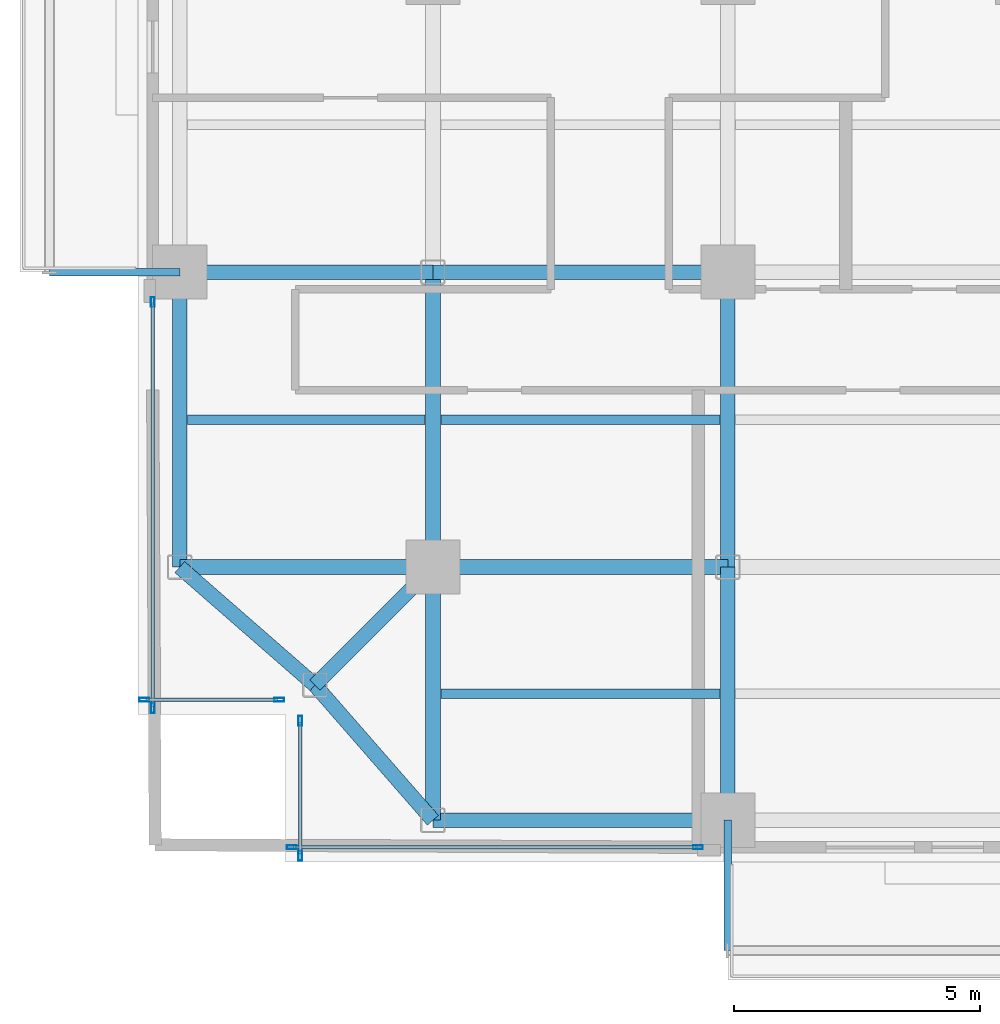
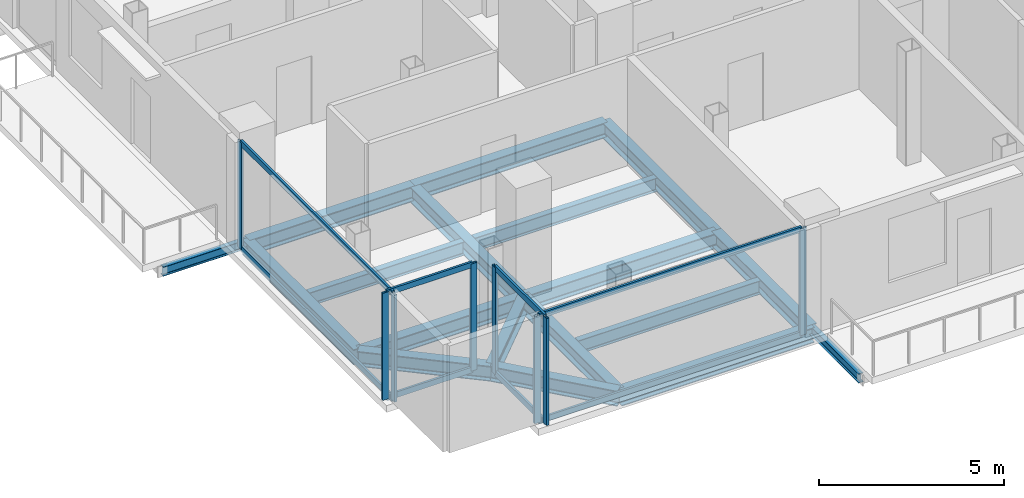
# One storey, part 2 of 24: 18 beams, 16 members, 4 elements without a shape of their own.
"""IFC4 building model written with IfcOpenShell, lengths in metres."""

import ifcopenshell
import ifcopenshell.guid

model = None  # the IFC model being written
_history = None  # IfcOwnerHistory: only IFC2X3 demands one
_inside = {}  # id of a spatial element -> (the spatial element, [elements in it])
_under = {}  # id of a project, library or spatial element -> (it, [spatial elements below it])
_declared = {}  # id of a project -> (the project, [libraries it declares])
_typed = {}  # id of a type object -> (the type object, [elements of that type])
_made_of = {}  # id of a material, layer set ... -> (it, [elements and type objects made of it])


def new_model(schema):
    """Start an empty IFC model of exactly this schema.

    Asked for "IFC4X3", IfcOpenShell would pick the latest addendum, in which some entities
    have other attributes; the version numbers below select the first issue.
    IFC2X3 requires an IfcOwnerHistory on every rooted entity: one is made here for all.
    """
    global model, _history
    if schema == "IFC4X3":
        model = ifcopenshell.file(schema_version=(4, 3, 0, 0))
    else:
        model = ifcopenshell.file(schema=schema)
    _inside.clear()
    _under.clear()
    _declared.clear()
    _typed.clear()
    _made_of.clear()
    _history = None
    if model.schema == "IFC2X3":
        org = make("IfcOrganization", Name="unknown")
        user = make(
            "IfcPersonAndOrganization",
            ThePerson=make("IfcPerson", FamilyName="unknown"),
            TheOrganization=org,
        )
        app = make(
            "IfcApplication",
            ApplicationDeveloper=org,
            Version="unknown",
            ApplicationFullName="unknown",
            ApplicationIdentifier="unknown",
        )
        _history = make(
            "IfcOwnerHistory",
            OwningUser=user,
            OwningApplication=app,
            ChangeAction="ADDED",
            CreationDate=0,
        )
    return model


def make(cls, **values):
    """One entity of the class cls with the attributes given. An attribute that is None is left unset."""
    return model.create_entity(
        cls, **{name: value for name, value in values.items() if value is not None}
    )


def rooted(cls, **values):
    """An entity with a GlobalId (a new one), such as an element, a storey or a relation."""
    return make(cls, GlobalId=ifcopenshell.guid.new(), OwnerHistory=_history, **values)


def si_unit(unit_type, name, prefix=None):
    """IfcSIUnit, for example si_unit("LENGTHUNIT", "METRE", prefix="MILLI")."""
    return make("IfcSIUnit", UnitType=unit_type, Prefix=prefix, Name=name)


def assignment(units):
    """IfcUnitAssignment: the units of a project."""
    return None if units is None else make("IfcUnitAssignment", Units=units)


def point(xyz):
    """IfcCartesianPoint."""
    return None if xyz is None else make("IfcCartesianPoint", Coordinates=xyz)


def direction(xyz):
    """IfcDirection."""
    return None if xyz is None else make("IfcDirection", DirectionRatios=xyz)


def frame(location, z_axis=None, x_axis=None):
    """IfcAxis2Placement3D, a coordinate frame: its origin and axes. An axis left out is left unset."""
    return make(
        "IfcAxis2Placement3D",
        Location=point(location),
        Axis=direction(z_axis),
        RefDirection=direction(x_axis),
    )


def frame_2d(location, x_axis=None):
    """IfcAxis2Placement2D, a coordinate frame in the plane: its origin and x axis."""
    return make(
        "IfcAxis2Placement2D", Location=point(location), RefDirection=direction(x_axis)
    )


def origin():
    """The frame at (0, 0, 0) with its axes left unset."""
    return frame((0.0, 0.0, 0.0))


def origin_2d():
    """The frame at (0, 0) in the plane with its x axis left unset."""
    return frame_2d((0.0, 0.0))


def place(relative_to, where):
    """IfcLocalPlacement: puts the frame where relative to a parent placement (None: the world)."""
    return make(
        "IfcLocalPlacement", PlacementRelTo=relative_to, RelativePlacement=where
    )


def context(
    kind, dimensions, precision=None, world=None, true_north=None, identifier=None
):
    """IfcGeometricRepresentationContext, for example the 3D "Model" context."""
    return make(
        "IfcGeometricRepresentationContext",
        ContextIdentifier=identifier,
        ContextType=kind,
        CoordinateSpaceDimension=dimensions,
        Precision=precision,
        WorldCoordinateSystem=world,
        TrueNorth=true_north,
    )


def subcontext(parent, identifier, kind, view, scale=None):
    """IfcGeometricRepresentationSubContext, for example "Body" below "Model"."""
    return make(
        "IfcGeometricRepresentationSubContext",
        ContextIdentifier=identifier,
        ContextType=kind,
        ParentContext=parent,
        TargetScale=scale,
        TargetView=view,
    )


def project(units=None, contexts=None):
    """IfcProject with its units and contexts."""
    return rooted(
        "IfcProject",
        Name="project",
        RepresentationContexts=contexts,
        UnitsInContext=assignment(units),
    )


def spatial(cls, under=None, at=None, **own):
    """A site, building, storey or space (cls), placed at a placement, below another one or the project."""
    s = rooted(cls, ObjectPlacement=at, **own)
    if under is not None:
        _under.setdefault(under.id(), (under, []))[1].append(s)
    return s


def profile(cls, at=None, kind="AREA", **sizes):
    """A parametric profile (cls). Its sizes go by their IFC names, for example OverallWidth=200.0."""
    return make(cls, ProfileType=kind, Position=at, **sizes)


def hollow_rectangle(**sizes):
    """IfcRectangleHollowProfileDef."""
    return profile("IfcRectangleHollowProfileDef", **sizes)


def i_section(**sizes):
    """IfcIShapeProfileDef."""
    return profile("IfcIShapeProfileDef", **sizes)


def extrude(swept, where, along, depth):
    """IfcExtrudedAreaSolid: the profile swept, set in the frame where, extruded along a direction by depth."""
    return make(
        "IfcExtrudedAreaSolid",
        SweptArea=swept,
        Position=where,
        ExtrudedDirection=direction(along),
        Depth=depth,
    )


def shape(context_of_items, identifier, shape_type, items):
    """IfcShapeRepresentation: the items that make up one representation, for example the "Body"."""
    return make(
        "IfcShapeRepresentation",
        ContextOfItems=context_of_items,
        RepresentationIdentifier=identifier,
        RepresentationType=shape_type,
        Items=items,
    )


def material(Name=None, Category=None):
    """IfcMaterial."""
    return make("IfcMaterial", Name=Name, Category=Category)


def layer(
    of_material, thickness, ventilated=None, Name=None, Category=None, Priority=None
):
    """IfcMaterialLayer: one layer of a wall or slab, of a material (None: an air gap)."""
    return make(
        "IfcMaterialLayer",
        Material=of_material,
        LayerThickness=thickness,
        IsVentilated=ventilated,
        Name=Name,
        Category=Category,
        Priority=Priority,
    )


def layer_set(layers, Name=None):
    """IfcMaterialLayerSet."""
    return make("IfcMaterialLayerSet", MaterialLayers=layers, LayerSetName=Name)


def material_profile(
    of_material, cross_section, Name=None, Category=None, Priority=None
):
    """IfcMaterialProfile: a cross section and its material."""
    return make(
        "IfcMaterialProfile",
        Name=Name,
        Material=of_material,
        Profile=cross_section,
        Priority=Priority,
        Category=Category,
    )


def profile_set(profiles, Name=None, composite=None):
    """IfcMaterialProfileSet."""
    return make(
        "IfcMaterialProfileSet",
        Name=Name,
        MaterialProfiles=profiles,
        CompositeProfile=composite,
    )


def made_of(thing, what):
    """Note that an element or type object is made of a material, layer set ...; save() writes the relation."""
    if what is not None:
        _made_of.setdefault(what.id(), (what, []))[1].append(thing)
    return thing


def type_object(cls, material=None, **own):
    """A type object (cls), such as IfcWallType, which elements share."""
    return made_of(rooted(cls, **own), material)


def element(
    cls,
    number,
    at=None,
    inside=None,
    cuts=None,
    type_object=None,
    material=None,
    context=None,
    identifier="Body",
    shape_type=None,
    held_by="IfcProductDefinitionShape",
    body=None,
    shapes=None,
    **own,
):
    """One element of the class cls, such as IfcWall. Its Tag is "e" and its number.

    at: its placement. inside: the storey or other place that contains it. cuts: it is an
    opening in that element (IfcRelVoidsElement). A single representation is given by context,
    identifier, shape_type and body (its items); several are given by shapes. held_by: the class
    of the entity that holds the representations. save() writes the other relations.
    """
    e = rooted(cls, Tag="e%d" % number, ObjectPlacement=at, **own)
    if body is not None:
        shapes = [shape(context, identifier, shape_type, body)]
    if shapes is not None:
        e.Representation = make(held_by, Representations=shapes)
    if inside is not None:
        _inside.setdefault(inside.id(), (inside, []))[1].append(e)
    if cuts is not None:
        rooted(
            "IfcRelVoidsElement", RelatingBuildingElement=cuts, RelatedOpeningElement=e
        )
    if type_object is not None:
        _typed.setdefault(type_object.id(), (type_object, []))[1].append(e)
    return made_of(e, material)


def aggregate(whole, parts):
    """IfcRelAggregates: a whole, such as a stair, and the parts it consists of."""
    return rooted("IfcRelAggregates", RelatingObject=whole, RelatedObjects=parts)


def save(model, path):
    """Write the relations noted so far, then the file.

    IfcRelAggregates (storeys below a building ...), IfcRelContainedInSpatialStructure (elements
    in a storey), IfcRelDefinesByType, IfcRelAssociatesMaterial and IfcRelDeclares: one each for
    every whole, place, type object, material and project.
    """
    for whole, parts in _under.values():
        aggregate(whole, parts)
    for where, things in _inside.values():
        rooted(
            "IfcRelContainedInSpatialStructure",
            RelatedElements=things,
            RelatingStructure=where,
        )
    for kind, things in _typed.values():
        rooted("IfcRelDefinesByType", RelatedObjects=things, RelatingType=kind)
    for what, things in _made_of.values():
        rooted("IfcRelAssociatesMaterial", RelatedObjects=things, RelatingMaterial=what)
    for by, libraries in _declared.values():
        rooted("IfcRelDeclares", RelatingContext=by, RelatedDefinitions=libraries)
    model.write(path)


model = new_model("IFC4")

# Units and contexts
model_context = context("Model", 3, precision=1e-05, world=origin(), true_north=direction((0.0, 1.0)))
body_context = subcontext(model_context, "Body", "Model", "MODEL_VIEW")
ifc_project = project(units=[si_unit("LENGTHUNIT", "METRE"), si_unit("AREAUNIT", "SQUARE_METRE"), si_unit("VOLUMEUNIT", "CUBIC_METRE"), si_unit("PLANEANGLEUNIT", "RADIAN"), si_unit("MASSUNIT", "GRAM", prefix="KILO"), si_unit("THERMODYNAMICTEMPERATUREUNIT", "KELVIN"), si_unit("POWERUNIT", "WATT")], contexts=[model_context])

# Site, building, storey
site_placement = place(None, origin())
site = spatial("IfcSite", under=ifc_project, at=site_placement, CompositionType="ELEMENT")
building_placement = place(site_placement, origin())
building = spatial("IfcBuilding", under=site, at=building_placement, Name="Svarakhadi Broadcast Tower", CompositionType="ELEMENT")
storey_placement = place(building_placement, frame((0.0, 0.0, 130.64990234375)))
storey = spatial("IfcBuildingStorey", under=building, at=storey_placement, Name="L31", CompositionType="ELEMENT", Elevation=130.64990234375)

# Beams
ifc_material_1 = material(Name="Steel S355J2 (IS 2062 E350C)", Category="steel")
ifc_material_profile_1 = material_profile(ifc_material_1, i_section(OverallWidth=0.18994140625, OverallDepth=0.449951171875, WebThickness=0.009521484375, FlangeThickness=0.0146484375, FilletRadius=0.02099609375, at=origin_2d()), Name="NPB 450x190x78")
ifc_profile_set_1 = profile_set([ifc_material_profile_1], Name="Steel S355J2 (IS 2062 E350C)")
beam_type_1 = type_object("IfcBeamType", Name="Beam_NPB450", PredefinedType="BEAM", material=ifc_profile_set_1)
beam_1_placement = place(storey_placement, frame((1.010009765625, 9.0, -0.449951171875), z_axis=(1.0, 0.0, 0.0), x_axis=(0.0, 1.0, 0.0)))
element("IfcBeam", 1, at=beam_1_placement, inside=storey, type_object=beam_type_1, Name="L31 Secondary Composite Beam SB001", PredefinedType="BEAM", context=body_context, shape_type="SweptSolid", body=[
    extrude(i_section(OverallWidth=0.18994140625, OverallDepth=0.449951171875, WebThickness=0.009521484375, FlangeThickness=0.0146484375, FilletRadius=0.02099609375, at=origin_2d()), origin(), (0.0, 0.0, 1.0), 4.830078125),
])
for number, where, z_axis, x_axis, name in (
    (2, (6.159912109375, 3.425048828125, -0.449951171875), (1.0, 0.0, 0.0), (0.0, 1.0, 0.0), "L31 Secondary Composite Beam SB006"),
    (3, (6.159912109375, 9.0, -0.449951171875), (1.0, 0.0, 0.0), (0.0, 1.0, 0.0), "L31 Secondary Composite Beam SB007"),
):
    element("IfcBeam", number, at=place(storey_placement, frame(where, z_axis=z_axis, x_axis=x_axis)), inside=storey, type_object=beam_type_1, Name=name, PredefinedType="BEAM", context=body_context, shape_type="SweptSolid", body=[
        extrude(i_section(OverallWidth=0.18994140625, OverallDepth=0.449951171875, WebThickness=0.009521484375, FlangeThickness=0.0146484375, FilletRadius=0.02099609375, at=origin_2d()), origin(), (0.0, 0.0, 1.0), 5.68017578125),
    ])

# Curtain wall, members
ifc_material_2 = material(Name="Anodised Bronze Aluminium AA 6063-T6", Category="aluminium")
ifc_layer = layer(ifc_material_2, 0.199951171875)
ifc_layer_set = layer_set([ifc_layer], Name="Anodised Bronze Aluminium AA 6063-T6")
curtain_wall_type = type_object("IfcCurtainWallType", Name="CW_Sys_03", PredefinedType="NOTDEFINED", material=ifc_layer_set)
curtain_wall_1_placement = place(storey_placement, origin())
curtain_wall_1 = element("IfcCurtainWall", 4, at=curtain_wall_1_placement, inside=storey, type_object=curtain_wall_type, Name="L31 Unitised Facade Curtain Wall 01", PredefinedType="NOTDEFINED")
ifc_material_profile_2 = material_profile(ifc_material_2, hollow_rectangle(XDim=0.074951171875, YDim=0.199951171875, WallThickness=0.005615234375, at=origin_2d()), Name="ALU MULLION 200x75x6")
ifc_profile_set_2 = profile_set([ifc_material_profile_2], Name="Anodised Bronze Aluminium AA 6063-T6")
member_type_1 = type_object("IfcMemberType", Name="CW_Sys_03_Mul", PredefinedType="MULLION", material=ifc_profile_set_2)
member_1_placement = place(storey_placement, frame((2.87255859375, 3.300048828125, 0.0), z_axis=(0.0, 0.0, 1.0), x_axis=(0.0, -1.0, 0.0)))
member_1 = element("IfcMember", 5, at=member_1_placement, type_object=member_type_1, Name="CW-03 mullion 1", PredefinedType="MULLION", context=body_context, shape_type="SweptSolid", body=[
    extrude(hollow_rectangle(XDim=0.074951171875, YDim=0.199951171875, WallThickness=0.005615234375, at=origin_2d()), origin(), (0.0, 0.0, 1.0), 3.525146484375),
])
member_2_placement = place(storey_placement, frame((0.12744140625, 3.300048828125, 0.0), z_axis=(0.0, 0.0, 1.0), x_axis=(0.0, -1.0, 0.0)))
member_2 = element("IfcMember", 6, at=member_2_placement, type_object=member_type_1, Name="CW-03 mullion 2", PredefinedType="MULLION", context=body_context, shape_type="SweptSolid", body=[
    extrude(hollow_rectangle(XDim=0.074951171875, YDim=0.199951171875, WallThickness=0.005615234375, at=origin_2d()), origin(), (0.0, 0.0, 1.0), 3.525146484375),
])

curtain_wall_2_placement = place(storey_placement, origin())
curtain_wall_2 = element("IfcCurtainWall", 7, at=curtain_wall_2_placement, inside=storey, type_object=curtain_wall_type, Name="L31 West Curtain Wall 02", PredefinedType="NOTDEFINED")
member_3_placement = place(storey_placement, frame((0.300048828125, 3.12744140625, 0.0), z_axis=(0.0, 0.0, 1.0), x_axis=(-1.0, 0.0, 0.0)))
member_3 = element("IfcMember", 8, at=member_3_placement, type_object=member_type_1, Name="CW-03 mullion 1", PredefinedType="MULLION", context=body_context, shape_type="SweptSolid", body=[
    extrude(hollow_rectangle(XDim=0.074951171875, YDim=0.199951171875, WallThickness=0.005615234375, at=origin_2d()), origin(), (0.0, 0.0, 1.0), 3.525146484375),
])
member_4_placement = place(storey_placement, frame((0.300048828125, 11.392578125, 0.0), z_axis=(0.0, 0.0, 1.0), x_axis=(-1.0, 0.0, 0.0)))
member_4 = element("IfcMember", 9, at=member_4_placement, type_object=member_type_1, Name="CW-03 mullion 2", PredefinedType="MULLION", context=body_context, shape_type="SweptSolid", body=[
    extrude(hollow_rectangle(XDim=0.074951171875, YDim=0.199951171875, WallThickness=0.005615234375, at=origin_2d()), origin(), (0.0, 0.0, 1.0), 3.525146484375),
])

curtain_wall_3_placement = place(storey_placement, origin())
curtain_wall_3 = element("IfcCurtainWall", 10, at=curtain_wall_3_placement, inside=storey, type_object=curtain_wall_type, Name="L31 South Curtain Wall 17", PredefinedType="NOTDEFINED")
member_5_placement = place(storey_placement, frame((11.392578125, 0.300048828125, 0.0), z_axis=(0.0, 0.0, 1.0), x_axis=(0.0, -1.0, 0.0)))
member_5 = element("IfcMember", 11, at=member_5_placement, type_object=member_type_1, Name="CW-03 mullion 1", PredefinedType="MULLION", context=body_context, shape_type="SweptSolid", body=[
    extrude(hollow_rectangle(XDim=0.074951171875, YDim=0.199951171875, WallThickness=0.005615234375, at=origin_2d()), origin(), (0.0, 0.0, 1.0), 3.525146484375),
])
member_6_placement = place(storey_placement, frame((3.12744140625, 0.300048828125, 0.0), z_axis=(0.0, 0.0, 1.0), x_axis=(0.0, -1.0, 0.0)))
member_6 = element("IfcMember", 12, at=member_6_placement, type_object=member_type_1, Name="CW-03 mullion 2", PredefinedType="MULLION", context=body_context, shape_type="SweptSolid", body=[
    extrude(hollow_rectangle(XDim=0.074951171875, YDim=0.199951171875, WallThickness=0.005615234375, at=origin_2d()), origin(), (0.0, 0.0, 1.0), 3.525146484375),
])

curtain_wall_4_placement = place(storey_placement, origin())
curtain_wall_4 = element("IfcCurtainWall", 13, at=curtain_wall_4_placement, inside=storey, type_object=curtain_wall_type, Name="L31 Unitised Facade Curtain Wall 18", PredefinedType="NOTDEFINED")
member_7_placement = place(storey_placement, frame((3.300048828125, 0.12744140625, 0.0), z_axis=(0.0, 0.0, 1.0), x_axis=(-1.0, 0.0, 0.0)))
member_7 = element("IfcMember", 14, at=member_7_placement, type_object=member_type_1, Name="CW-03 mullion 1", PredefinedType="MULLION", context=body_context, shape_type="SweptSolid", body=[
    extrude(hollow_rectangle(XDim=0.074951171875, YDim=0.199951171875, WallThickness=0.005615234375, at=origin_2d()), origin(), (0.0, 0.0, 1.0), 3.525146484375),
])
member_8_placement = place(storey_placement, frame((3.300048828125, 2.87255859375, 0.0), z_axis=(0.0, 0.0, 1.0), x_axis=(-1.0, 0.0, 0.0)))
member_8 = element("IfcMember", 15, at=member_8_placement, type_object=member_type_1, Name="CW-03 mullion 2", PredefinedType="MULLION", context=body_context, shape_type="SweptSolid", body=[
    extrude(hollow_rectangle(XDim=0.074951171875, YDim=0.199951171875, WallThickness=0.005615234375, at=origin_2d()), origin(), (0.0, 0.0, 1.0), 3.525146484375),
])

# Member
ifc_material_profile_3 = material_profile(ifc_material_2, hollow_rectangle(XDim=0.070068359375, YDim=0.18505859375, WallThickness=0.0048828125, at=origin_2d()), Name="ALU TRANSOM 185x70x5")
ifc_profile_set_3 = profile_set([ifc_material_profile_3], Name="Anodised Bronze Aluminium AA 6063-T6")
member_type_2 = type_object("IfcMemberType", Name="CW_Sys_03_Trn", PredefinedType="USERDEFINED", material=ifc_profile_set_3)
member_9_placement = place(storey_placement, frame((2.8349609375, 3.300048828125, 0.03515625), z_axis=(-1.0, 0.0, 0.0), x_axis=(0.0, -1.0, 0.0)))
member_9 = element("IfcMember", 16, at=member_9_placement, type_object=member_type_2, Name="CW-03 transom 1.1", ObjectType="TRANSOM", PredefinedType="USERDEFINED", context=body_context, shape_type="SweptSolid", body=[
    extrude(hollow_rectangle(XDim=0.070068359375, YDim=0.18505859375, WallThickness=0.0048828125, at=origin_2d()), origin(), (0.0, 0.0, 1.0), 2.669921875),
])

member_10_placement = place(storey_placement, frame((2.8349609375, 3.300048828125, 3.489990234375), z_axis=(-1.0, 0.0, 0.0), x_axis=(0.0, -1.0, 0.0)))
member_10 = element("IfcMember", 17, at=member_10_placement, type_object=member_type_2, Name="CW-03 transom 1.2", ObjectType="TRANSOM", PredefinedType="USERDEFINED", context=body_context, shape_type="SweptSolid", body=[
    extrude(hollow_rectangle(XDim=0.070068359375, YDim=0.18505859375, WallThickness=0.0048828125, at=origin_2d()), origin(), (0.0, 0.0, 1.0), 2.669921875),
])

aggregate(curtain_wall_1, [member_1, member_2, member_9, member_10])

member_11_placement = place(storey_placement, frame((0.300048828125, 3.1650390625, 0.03515625), z_axis=(0.0, 1.0, 0.0), x_axis=(-1.0, 0.0, 0.0)))
member_11 = element("IfcMember", 18, at=member_11_placement, type_object=member_type_2, Name="CW-03 transom 1.1", ObjectType="TRANSOM", PredefinedType="USERDEFINED", context=body_context, shape_type="SweptSolid", body=[
    extrude(hollow_rectangle(XDim=0.070068359375, YDim=0.18505859375, WallThickness=0.0048828125, at=origin_2d()), origin(), (0.0, 0.0, 1.0), 8.18994140625),
])

member_12_placement = place(storey_placement, frame((0.300048828125, 3.1650390625, 3.489990234375), z_axis=(0.0, 1.0, 0.0), x_axis=(-1.0, 0.0, 0.0)))
member_12 = element("IfcMember", 19, at=member_12_placement, type_object=member_type_2, Name="CW-03 transom 1.2", ObjectType="TRANSOM", PredefinedType="USERDEFINED", context=body_context, shape_type="SweptSolid", body=[
    extrude(hollow_rectangle(XDim=0.070068359375, YDim=0.18505859375, WallThickness=0.0048828125, at=origin_2d()), origin(), (0.0, 0.0, 1.0), 8.18994140625),
])

aggregate(curtain_wall_2, [member_3, member_4, member_11, member_12])

member_13_placement = place(storey_placement, frame((11.35498046875, 0.300048828125, 0.03515625), z_axis=(-1.0, 0.0, 0.0), x_axis=(0.0, -1.0, 0.0)))
member_13 = element("IfcMember", 20, at=member_13_placement, type_object=member_type_2, Name="CW-03 transom 1.1", ObjectType="TRANSOM", PredefinedType="USERDEFINED", context=body_context, shape_type="SweptSolid", body=[
    extrude(hollow_rectangle(XDim=0.070068359375, YDim=0.18505859375, WallThickness=0.0048828125, at=origin_2d()), origin(), (0.0, 0.0, 1.0), 8.18994140625),
])

member_14_placement = place(storey_placement, frame((11.35498046875, 0.300048828125, 3.489990234375), z_axis=(-1.0, 0.0, 0.0), x_axis=(0.0, -1.0, 0.0)))
member_14 = element("IfcMember", 21, at=member_14_placement, type_object=member_type_2, Name="CW-03 transom 1.2", ObjectType="TRANSOM", PredefinedType="USERDEFINED", context=body_context, shape_type="SweptSolid", body=[
    extrude(hollow_rectangle(XDim=0.070068359375, YDim=0.18505859375, WallThickness=0.0048828125, at=origin_2d()), origin(), (0.0, 0.0, 1.0), 8.18994140625),
])

aggregate(curtain_wall_3, [member_5, member_6, member_13, member_14])

member_15_placement = place(storey_placement, frame((3.300048828125, 0.1650390625, 0.03515625), z_axis=(0.0, 1.0, 0.0), x_axis=(-1.0, 0.0, 0.0)))
member_15 = element("IfcMember", 22, at=member_15_placement, type_object=member_type_2, Name="CW-03 transom 1.1", ObjectType="TRANSOM", PredefinedType="USERDEFINED", context=body_context, shape_type="SweptSolid", body=[
    extrude(hollow_rectangle(XDim=0.070068359375, YDim=0.18505859375, WallThickness=0.0048828125, at=origin_2d()), origin(), (0.0, 0.0, 1.0), 2.669921875),
])

member_16_placement = place(storey_placement, frame((3.300048828125, 0.1650390625, 3.489990234375), z_axis=(0.0, 1.0, 0.0), x_axis=(-1.0, 0.0, 0.0)))
member_16 = element("IfcMember", 23, at=member_16_placement, type_object=member_type_2, Name="CW-03 transom 1.2", ObjectType="TRANSOM", PredefinedType="USERDEFINED", context=body_context, shape_type="SweptSolid", body=[
    extrude(hollow_rectangle(XDim=0.070068359375, YDim=0.18505859375, WallThickness=0.0048828125, at=origin_2d()), origin(), (0.0, 0.0, 1.0), 2.669921875),
])

aggregate(curtain_wall_4, [member_7, member_8, member_15, member_16])

# Beams
ifc_material_profile_4 = material_profile(ifc_material_1, i_section(OverallWidth=0.300048828125, OverallDepth=0.5, WebThickness=0.014404296875, FlangeThickness=0.028076171875, FilletRadius=0.027099609375, at=origin_2d()), Name="WPB 500x300x187")
ifc_profile_set_4 = profile_set([ifc_material_profile_4], Name="Steel S355J2 (IS 2062 E350C)")
beam_type_2 = type_object("IfcBeamType", Name="Girder_WPB500", PredefinedType="USERDEFINED", material=ifc_profile_set_4)
beam_2_placement = place(storey_placement, frame((3.60009765625, 3.60009765625, -0.474853515625), z_axis=(0.707106781187, 0.707106781187, 0.0), x_axis=(-0.707106781187, 0.707106781187, 0.0)))
element("IfcBeam", 24, at=beam_2_placement, inside=storey, type_object=beam_type_2, Name="L31 Corner Tie Girder G001", ObjectType="GIRDER", PredefinedType="USERDEFINED", context=body_context, shape_type="SweptSolid", body=[
    extrude(i_section(OverallWidth=0.300048828125, OverallDepth=0.5, WebThickness=0.014404296875, FlangeThickness=0.028076171875, FilletRadius=0.027099609375, at=origin_2d()), origin(), (0.0, 0.0, 1.0), 3.39404296875),
])
for number, where, z_axis, x_axis, name in (
    (25, (3.60009765625, 3.60009765625, -0.474853515625), (-0.753437912176, 0.657519058655, 0.0), (-0.657519058655, -0.753437912176, 0.0), "L31 Corner Tie Girder G002"),
    (26, (3.60009765625, 3.60009765625, -0.474853515625), (0.657519058655, -0.753437912176, 0.0), (0.753437912176, 0.657519058655, 0.0), "L31 Corner Tie Girder G003"),
):
    element("IfcBeam", number, at=place(storey_placement, frame(where, z_axis=z_axis, x_axis=x_axis)), inside=storey, type_object=beam_type_2, Name=name, ObjectType="GIRDER", PredefinedType="USERDEFINED", context=body_context, shape_type="SweptSolid", body=[
        extrude(i_section(OverallWidth=0.300048828125, OverallDepth=0.5, WebThickness=0.014404296875, FlangeThickness=0.028076171875, FilletRadius=0.027099609375, at=origin_2d()), origin(), (0.0, 0.0, 1.0), 3.64990234375),
    ])
beam_3_placement = place(storey_placement, frame((6.0, 0.85009765625, -0.474853515625), z_axis=(1.0, 0.0, 0.0), x_axis=(0.0, 1.0, 0.0)))
element("IfcBeam", 27, at=beam_3_placement, inside=storey, type_object=beam_type_2, Name="L31 Primary E-W Girder G004", ObjectType="GIRDER", PredefinedType="USERDEFINED", context=body_context, shape_type="SweptSolid", body=[
    extrude(i_section(OverallWidth=0.300048828125, OverallDepth=0.5, WebThickness=0.014404296875, FlangeThickness=0.028076171875, FilletRadius=0.027099609375, at=origin_2d()), origin(), (0.0, 0.0, 1.0), 6.0),
])
beam_4_placement = place(storey_placement, frame((0.85009765625, 6.0, -0.474853515625), z_axis=(1.0, 0.0, 0.0), x_axis=(0.0, 1.0, 0.0)))
element("IfcBeam", 28, at=beam_4_placement, inside=storey, type_object=beam_type_2, Name="L31 Primary E-W Girder G010", ObjectType="GIRDER", PredefinedType="USERDEFINED", context=body_context, shape_type="SweptSolid", body=[
    extrude(i_section(OverallWidth=0.300048828125, OverallDepth=0.5, WebThickness=0.014404296875, FlangeThickness=0.028076171875, FilletRadius=0.027099609375, at=origin_2d()), origin(), (0.0, 0.0, 1.0), 5.14990234375),
])
beam_5_placement = place(storey_placement, frame((6.0, 6.0, -0.474853515625), z_axis=(1.0, 0.0, 0.0), x_axis=(0.0, 1.0, 0.0)))
element("IfcBeam", 29, at=beam_5_placement, inside=storey, type_object=beam_type_2, Name="L31 Primary E-W Girder G011", ObjectType="GIRDER", PredefinedType="USERDEFINED", context=body_context, shape_type="SweptSolid", body=[
    extrude(i_section(OverallWidth=0.300048828125, OverallDepth=0.5, WebThickness=0.014404296875, FlangeThickness=0.028076171875, FilletRadius=0.027099609375, at=origin_2d()), origin(), (0.0, 0.0, 1.0), 6.0),
])
beam_6_placement = place(storey_placement, frame((0.85009765625, 12.0, -0.474853515625), z_axis=(1.0, 0.0, 0.0), x_axis=(0.0, 1.0, 0.0)))
element("IfcBeam", 30, at=beam_6_placement, inside=storey, type_object=beam_type_2, Name="L31 Primary E-W Girder G017", ObjectType="GIRDER", PredefinedType="USERDEFINED", context=body_context, shape_type="SweptSolid", body=[
    extrude(i_section(OverallWidth=0.300048828125, OverallDepth=0.5, WebThickness=0.014404296875, FlangeThickness=0.028076171875, FilletRadius=0.027099609375, at=origin_2d()), origin(), (0.0, 0.0, 1.0), 5.14990234375),
])
for number, where, z_axis, x_axis, name in (
    (31, (6.0, 12.0, -0.474853515625), (1.0, 0.0, 0.0), (0.0, 1.0, 0.0), "L31 Primary E-W Girder G018"),
    (32, (0.85009765625, 6.0, -0.474853515625), (0.0, 1.0, 0.0), (-1.0, 0.0, 0.0), "L31 Primary N-S Girder G040"),
):
    element("IfcBeam", number, at=place(storey_placement, frame(where, z_axis=z_axis, x_axis=x_axis)), inside=storey, type_object=beam_type_2, Name=name, ObjectType="GIRDER", PredefinedType="USERDEFINED", context=body_context, shape_type="SweptSolid", body=[
        extrude(i_section(OverallWidth=0.300048828125, OverallDepth=0.5, WebThickness=0.014404296875, FlangeThickness=0.028076171875, FilletRadius=0.027099609375, at=origin_2d()), origin(), (0.0, 0.0, 1.0), 6.0),
    ])
beam_7_placement = place(storey_placement, frame((6.0, 0.85009765625, -0.474853515625), z_axis=(0.0, 1.0, 0.0), x_axis=(-1.0, 0.0, 0.0)))
element("IfcBeam", 33, at=beam_7_placement, inside=storey, type_object=beam_type_2, Name="L31 Primary N-S Girder G045", ObjectType="GIRDER", PredefinedType="USERDEFINED", context=body_context, shape_type="SweptSolid", body=[
    extrude(i_section(OverallWidth=0.300048828125, OverallDepth=0.5, WebThickness=0.014404296875, FlangeThickness=0.028076171875, FilletRadius=0.027099609375, at=origin_2d()), origin(), (0.0, 0.0, 1.0), 5.14990234375),
])
beam_8_placement = place(storey_placement, frame((6.0, 6.0, -0.474853515625), z_axis=(0.0, 1.0, 0.0), x_axis=(-1.0, 0.0, 0.0)))
element("IfcBeam", 34, at=beam_8_placement, inside=storey, type_object=beam_type_2, Name="L31 Primary N-S Girder G046", ObjectType="GIRDER", PredefinedType="USERDEFINED", context=body_context, shape_type="SweptSolid", body=[
    extrude(i_section(OverallWidth=0.300048828125, OverallDepth=0.5, WebThickness=0.014404296875, FlangeThickness=0.028076171875, FilletRadius=0.027099609375, at=origin_2d()), origin(), (0.0, 0.0, 1.0), 6.0),
])
beam_9_placement = place(storey_placement, frame((12.0, 0.85009765625, -0.474853515625), z_axis=(0.0, 1.0, 0.0), x_axis=(-1.0, 0.0, 0.0)))
element("IfcBeam", 35, at=beam_9_placement, inside=storey, type_object=beam_type_2, Name="L31 Primary N-S Girder G051", ObjectType="GIRDER", PredefinedType="USERDEFINED", context=body_context, shape_type="SweptSolid", body=[
    extrude(i_section(OverallWidth=0.300048828125, OverallDepth=0.5, WebThickness=0.014404296875, FlangeThickness=0.028076171875, FilletRadius=0.027099609375, at=origin_2d()), origin(), (0.0, 0.0, 1.0), 5.14990234375),
])
beam_10_placement = place(storey_placement, frame((12.0, 6.0, -0.474853515625), z_axis=(0.0, 1.0, 0.0), x_axis=(-1.0, 0.0, 0.0)))
element("IfcBeam", 36, at=beam_10_placement, inside=storey, type_object=beam_type_2, Name="L31 Primary N-S Girder G052", ObjectType="GIRDER", PredefinedType="USERDEFINED", context=body_context, shape_type="SweptSolid", body=[
    extrude(i_section(OverallWidth=0.300048828125, OverallDepth=0.5, WebThickness=0.014404296875, FlangeThickness=0.028076171875, FilletRadius=0.027099609375, at=origin_2d()), origin(), (0.0, 0.0, 1.0), 6.0),
])
ifc_material_profile_5 = material_profile(ifc_material_1, i_section(OverallWidth=0.14990234375, OverallDepth=0.300048828125, WebThickness=0.007080078125, FlangeThickness=0.0107421875, FilletRadius=0.014892578125, at=origin_2d()), Name="NPB 300x150x37")
ifc_profile_set_5 = profile_set([ifc_material_profile_5], Name="Steel S355J2 (IS 2062 E350C)")
beam_type_3 = type_object("IfcBeamType", Name="Spandrel_NPB300", PredefinedType="SPANDREL", material=ifc_profile_set_5)
for number, where, z_axis, x_axis, name in (
    (37, (12.0, 0.85009765625, -0.375), (0.0, -1.0, 0.0), (1.0, 0.0, 0.0), "L31 Balcony Cantilever Bracket 1A"),
    (38, (0.85009765625, 12.0, -0.375), (-1.0, 0.0, 0.0), (0.0, -1.0, 0.0), "L31 Balcony Cantilever Bracket 2A"),
):
    element("IfcBeam", number, at=place(storey_placement, frame(where, z_axis=z_axis, x_axis=x_axis)), inside=storey, type_object=beam_type_3, Name=name, PredefinedType="SPANDREL", context=body_context, shape_type="SweptSolid", body=[
        extrude(i_section(OverallWidth=0.14990234375, OverallDepth=0.300048828125, WebThickness=0.007080078125, FlangeThickness=0.0107421875, FilletRadius=0.014892578125, at=origin_2d()), origin(), (0.0, 0.0, 1.0), 2.650146484375),
    ])

save(model, "model.ifc")
